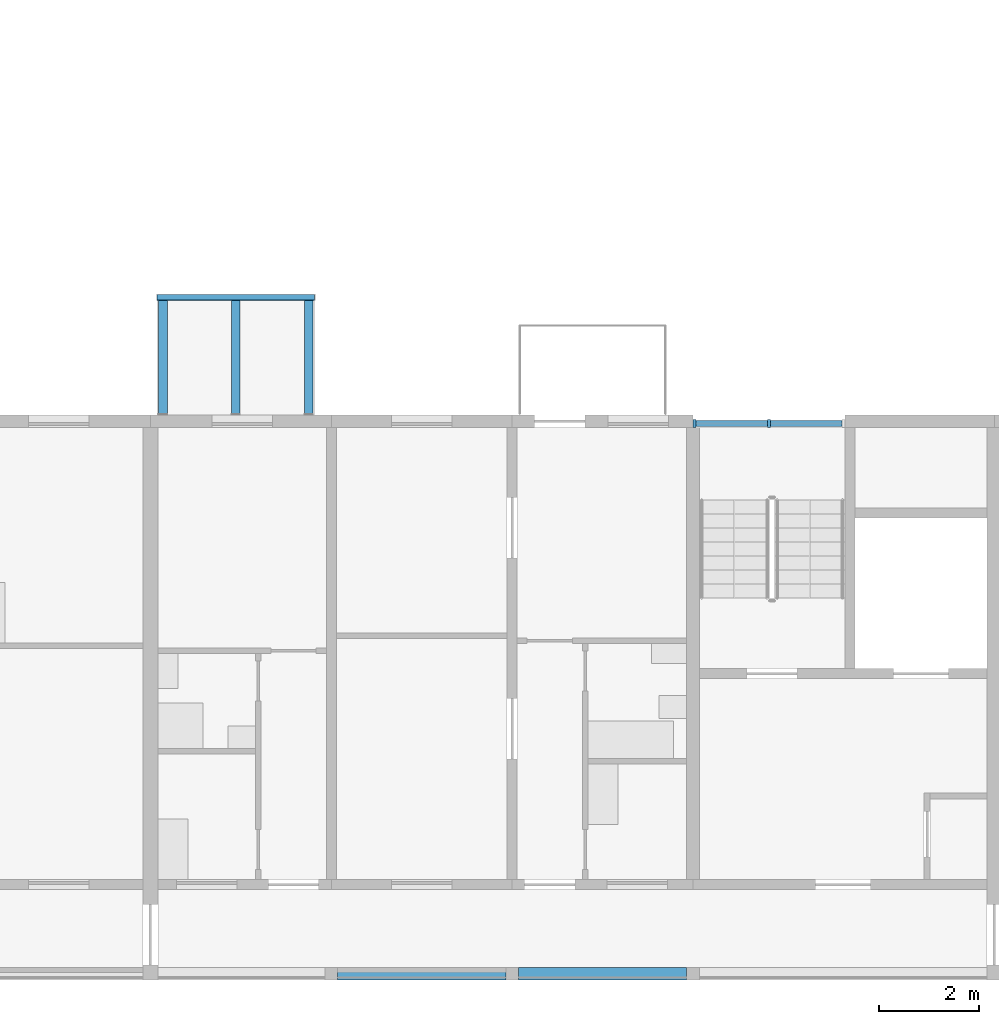
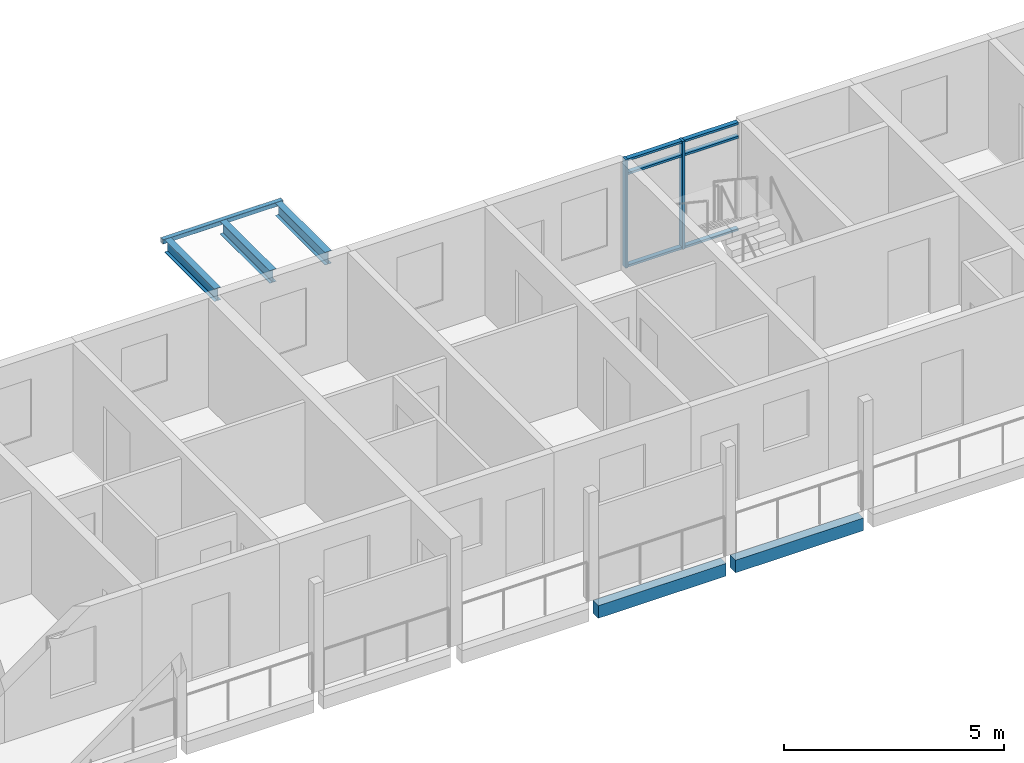
# One storey, part 7 of 93: 8 members, 6 beams, 1 element without a shape of its own.
"""IFC4 building model written with IfcOpenShell, lengths in metres."""

from ifc_helpers import new_model, si_unit, direction, frame, origin, origin_2d, place, context, subcontext, project, spatial, rectangle, hollow_rectangle, i_section, extrude, material, material_profile, profile_set, type_object, element, aggregate, save


model = new_model("IFC4")

# Units and contexts
model_context = context("Model", 3, precision=1e-05, world=origin(), true_north=direction((0.0, 1.0)))
body_context = subcontext(model_context, "Body", "Model", "MODEL_VIEW")
ifc_project = project(units=[si_unit("LENGTHUNIT", "METRE"), si_unit("AREAUNIT", "SQUARE_METRE"), si_unit("VOLUMEUNIT", "CUBIC_METRE"), si_unit("PLANEANGLEUNIT", "RADIAN"), si_unit("MASSUNIT", "GRAM", prefix="KILO")], contexts=[model_context])

# Site, building, storey
site_placement = place(None, origin())
site = spatial("IfcSite", under=ifc_project, at=site_placement, CompositionType="ELEMENT")
building_placement = place(site_placement, origin())
building = spatial("IfcBuilding", under=site, at=building_placement, Name="Ridgestep Commons", CompositionType="ELEMENT")
storey_placement = place(building_placement, frame((0.0, 0.0, 18.0)))
storey = spatial("IfcBuildingStorey", under=building, at=storey_placement, Name="L06", CompositionType="ELEMENT", Elevation=18.0)

# Beams
ifc_material_1 = material(Name="Precast concrete C40/50", Category="concrete")
ifc_material_profile_1 = material_profile(ifc_material_1, rectangle(XDim=0.25, YDim=0.35009765625, at=origin_2d()), Name="PC 250x350")
ifc_profile_set_1 = profile_set([ifc_material_profile_1], Name="Precast concrete C40/50")
beam_type_1 = type_object("IfcBeamType", Name="Loggia edge beam 250 x 350", PredefinedType="SPANDREL", material=ifc_profile_set_1)
beam_1_placement = place(storey_placement, frame((66.125, 11.875, -0.375), z_axis=(1.0, 0.0, 0.0), x_axis=(0.0, 1.0, 0.0)))
element("IfcBeam", 1, at=beam_1_placement, inside=storey, type_object=beam_type_1, Name="Loggia edge beam A4T2 L06", PredefinedType="SPANDREL", context=body_context, shape_type="SweptSolid", body=[
    extrude(rectangle(XDim=0.25, YDim=0.35009765625, at=origin_2d()), origin(), (0.0, 0.0, 1.0), 3.35009765625),
])
beam_2_placement = place(storey_placement, frame((69.72509765625, 11.875, -0.375), z_axis=(1.0, 0.0, 0.0), x_axis=(0.0, 1.0, 0.0)))
element("IfcBeam", 2, at=beam_2_placement, inside=storey, type_object=beam_type_1, Name="Loggia edge beam A4T3 L06", PredefinedType="SPANDREL", context=body_context, shape_type="SweptSolid", body=[
    extrude(rectangle(XDim=0.25, YDim=0.35009765625, at=origin_2d()), origin(), (0.0, 0.0, 1.0), 3.349853515625),
])

# Curtain wall, members
ifc_material_2 = material(Name="Aluminium 6063-T6 and glass", Category="aluminium")
curtain_wall_type = type_object("IfcCurtainWallType", Name="Curtain wall stair strip", PredefinedType="NOTDEFINED", material=ifc_material_2)
curtain_wall_placement = place(storey_placement, origin())
curtain_wall = element("IfcCurtainWall", 3, at=curtain_wall_placement, inside=storey, type_object=curtain_wall_type, Name="Curtain wall A4C level 06", PredefinedType="NOTDEFINED")
ifc_material_3 = material(Name="Aluminium 6063-T6", Category="aluminium")
ifc_material_profile_2 = material_profile(ifc_material_3, rectangle(XDim=0.159912109375, YDim=0.06005859375, at=origin_2d()), Name="Mullion 60 x 160")
ifc_profile_set_2 = profile_set([ifc_material_profile_2], Name="Aluminium 6063-T6")
member_type_1 = type_object("IfcMemberType", Name="Mullion 60 x 160", PredefinedType="MULLION", material=ifc_profile_set_2)
member_1_placement = place(storey_placement, frame((73.22998046875, 22.830078125, 0.0), z_axis=(0.0, 0.0, 1.0), x_axis=(0.0, 1.0, 0.0)))
member_1 = element("IfcMember", 4, at=member_1_placement, type_object=member_type_1, Name="CW1 mullion 1", PredefinedType="MULLION", context=body_context, shape_type="SweptSolid", body=[
    extrude(rectangle(XDim=0.159912109375, YDim=0.06005859375, at=origin_2d()), origin(), (0.0, 0.0, 1.0), 3.0),
])
member_2_placement = place(storey_placement, frame((74.71240234375, 22.830078125, 0.0), z_axis=(0.0, 0.0, 1.0), x_axis=(0.0, 1.0, 0.0)))
member_2 = element("IfcMember", 5, at=member_2_placement, type_object=member_type_1, Name="CW1 mullion 2", PredefinedType="MULLION", context=body_context, shape_type="SweptSolid", body=[
    extrude(rectangle(XDim=0.159912109375, YDim=0.06005859375, at=origin_2d()), origin(), (0.0, 0.0, 1.0), 3.0),
])
ifc_material_4 = material(Name="Aluminium 6063-T6", Category="aluminium")
ifc_material_profile_3 = material_profile(ifc_material_4, rectangle(XDim=0.1201171875, YDim=0.06005859375, at=origin_2d()), Name="Transom 60 x 120")
ifc_profile_set_3 = profile_set([ifc_material_profile_3], Name="Aluminium 6063-T6")
member_type_2 = type_object("IfcMemberType", Name="Transom 60 x 120", PredefinedType="USERDEFINED", material=ifc_profile_set_3)
member_3_placement = place(storey_placement, frame((73.260009765625, 22.830078125, 0.030029296875), z_axis=(1.0, 0.0, 0.0), x_axis=(0.0, 1.0, 0.0)))
member_3 = element("IfcMember", 6, at=member_3_placement, type_object=member_type_2, Name="CW1 transom 1.1", ObjectType="TRANSOM", PredefinedType="USERDEFINED", context=body_context, shape_type="SweptSolid", body=[
    extrude(rectangle(XDim=0.1201171875, YDim=0.06005859375, at=origin_2d()), origin(), (0.0, 0.0, 1.0), 1.422607421875),
])
member_4_placement = place(storey_placement, frame((73.260009765625, 22.830078125, 2.590087890625), z_axis=(1.0, 0.0, 0.0), x_axis=(0.0, 1.0, 0.0)))
member_4 = element("IfcMember", 7, at=member_4_placement, type_object=member_type_2, Name="CW1 transom 1.2", ObjectType="TRANSOM", PredefinedType="USERDEFINED", context=body_context, shape_type="SweptSolid", body=[
    extrude(rectangle(XDim=0.1201171875, YDim=0.06005859375, at=origin_2d()), origin(), (0.0, 0.0, 1.0), 1.422607421875),
])
member_5_placement = place(storey_placement, frame((73.260009765625, 22.830078125, 2.969970703125), z_axis=(1.0, 0.0, 0.0), x_axis=(0.0, 1.0, 0.0)))
member_5 = element("IfcMember", 8, at=member_5_placement, type_object=member_type_2, Name="CW1 transom 1.3", ObjectType="TRANSOM", PredefinedType="USERDEFINED", context=body_context, shape_type="SweptSolid", body=[
    extrude(rectangle(XDim=0.1201171875, YDim=0.06005859375, at=origin_2d()), origin(), (0.0, 0.0, 1.0), 1.422607421875),
])
member_6_placement = place(storey_placement, frame((74.742431640625, 22.830078125, 0.030029296875), z_axis=(1.0, 0.0, 0.0), x_axis=(0.0, 1.0, 0.0)))
member_6 = element("IfcMember", 9, at=member_6_placement, type_object=member_type_2, Name="CW1 transom 2.1", ObjectType="TRANSOM", PredefinedType="USERDEFINED", context=body_context, shape_type="SweptSolid", body=[
    extrude(rectangle(XDim=0.1201171875, YDim=0.06005859375, at=origin_2d()), origin(), (0.0, 0.0, 1.0), 1.422607421875),
])
member_7_placement = place(storey_placement, frame((74.742431640625, 22.830078125, 2.590087890625), z_axis=(1.0, 0.0, 0.0), x_axis=(0.0, 1.0, 0.0)))
member_7 = element("IfcMember", 10, at=member_7_placement, type_object=member_type_2, Name="CW1 transom 2.2", ObjectType="TRANSOM", PredefinedType="USERDEFINED", context=body_context, shape_type="SweptSolid", body=[
    extrude(rectangle(XDim=0.1201171875, YDim=0.06005859375, at=origin_2d()), origin(), (0.0, 0.0, 1.0), 1.422607421875),
])
member_8_placement = place(storey_placement, frame((74.742431640625, 22.830078125, 2.969970703125), z_axis=(1.0, 0.0, 0.0), x_axis=(0.0, 1.0, 0.0)))
member_8 = element("IfcMember", 11, at=member_8_placement, type_object=member_type_2, Name="CW1 transom 2.3", ObjectType="TRANSOM", PredefinedType="USERDEFINED", context=body_context, shape_type="SweptSolid", body=[
    extrude(rectangle(XDim=0.1201171875, YDim=0.06005859375, at=origin_2d()), origin(), (0.0, 0.0, 1.0), 1.422607421875),
])
aggregate(curtain_wall, [member_1, member_2, member_3, member_4, member_5, member_6, member_7, member_8])

# Beams
ifc_material_5 = material(Name="Weathering steel S355J2W", Category="steel")
ifc_material_profile_4 = material_profile(ifc_material_5, i_section(OverallWidth=0.171142578125, OverallDepth=0.351318359375, WebThickness=0.007080078125, FlangeThickness=0.009765625, FilletRadius=0.01025390625, at=origin_2d()), Name="UB 356x171x45")
ifc_profile_set_4 = profile_set([ifc_material_profile_4], Name="Weathering steel S355J2W")
beam_type_2 = type_object("IfcBeamType", Name="Tray arm UB 356x171x45", PredefinedType="BEAM", material=ifc_profile_set_4)
for number, where, z_axis, x_axis, name in (
    (12, (62.64990234375, 23.014892578125, 2.814208984375), (0.0, 1.0, 0.0), (-1.0, 0.0, 0.0), "Tray arm A4T1-07.1"),
    (13, (64.10009765625, 23.014892578125, 2.814208984375), (0.0, 1.0, 0.0), (-1.0, 0.0, 0.0), "Tray arm A4T1-07.2"),
    (14, (65.550048828125, 23.014892578125, 2.814208984375), (0.0, 1.0, 0.0), (-1.0, 0.0, 0.0), "Tray arm A4T1-07.3"),
):
    element("IfcBeam", number, at=place(storey_placement, frame(where, z_axis=z_axis, x_axis=x_axis)), inside=storey, type_object=beam_type_2, Name=name, PredefinedType="BEAM", context=body_context, shape_type="SweptSolid", body=[
        extrude(i_section(OverallWidth=0.171142578125, OverallDepth=0.351318359375, WebThickness=0.007080078125, FlangeThickness=0.009765625, FilletRadius=0.01025390625, at=origin_2d()), origin(), (0.0, 0.0, 1.0), 2.26513671875),
    ])
ifc_material_6 = material(Name="Weathering steel S355J2W", Category="steel")
ifc_material_profile_5 = material_profile(ifc_material_6, hollow_rectangle(XDim=0.1201171875, YDim=0.1201171875, WallThickness=0.00634765625, InnerFilletRadius=0.00634765625, OuterFilletRadius=0.009521484375, at=origin_2d()), Name="SHS 120x120x6.3")
ifc_profile_set_5 = profile_set([ifc_material_profile_5], Name="Weathering steel S355J2W")
beam_type_3 = type_object("IfcBeamType", Name="Tray edge member SHS 120x120x6.3", PredefinedType="BEAM", material=ifc_profile_set_5)
beam_3_placement = place(storey_placement, frame((62.530029296875, 25.340087890625, 2.929931640625), z_axis=(1.0, 0.0, 0.0), x_axis=(0.0, 0.0, 1.0)))
element("IfcBeam", 15, at=beam_3_placement, inside=storey, type_object=beam_type_3, Name="Tray edge member A4T1-07", PredefinedType="BEAM", context=body_context, shape_type="SweptSolid", body=[
    extrude(hollow_rectangle(XDim=0.1201171875, YDim=0.1201171875, WallThickness=0.00634765625, InnerFilletRadius=0.00634765625, OuterFilletRadius=0.009521484375, at=origin_2d()), origin(), (0.0, 0.0, 1.0), 3.139892578125),
])

save(model, "model.ifc")
